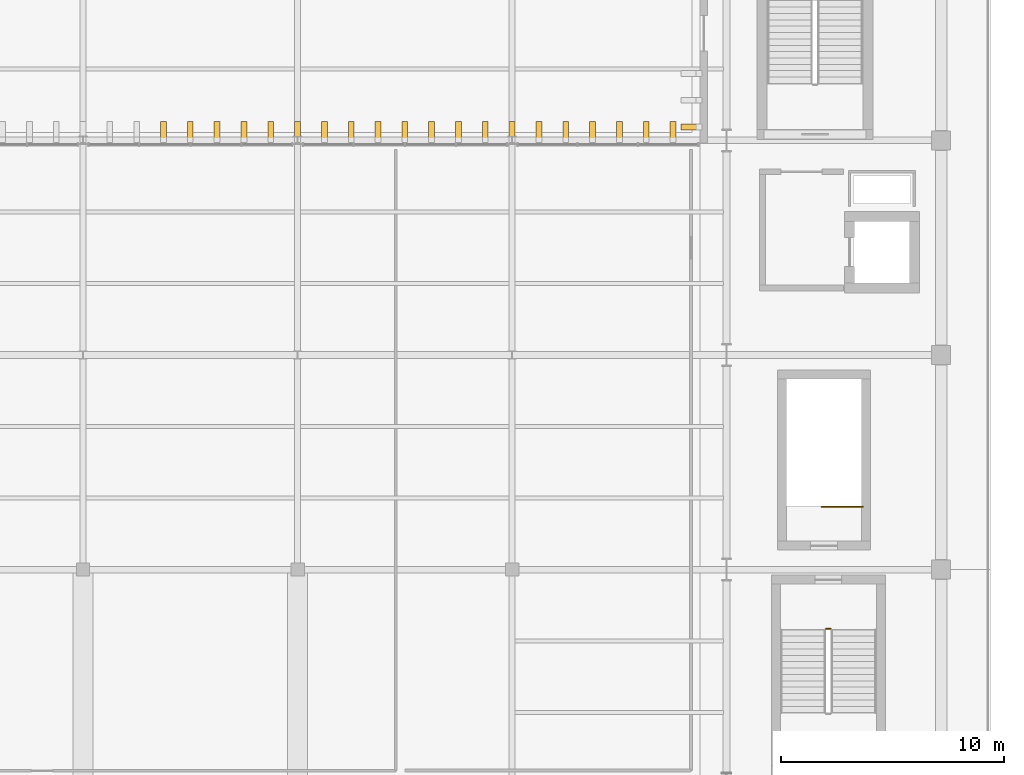
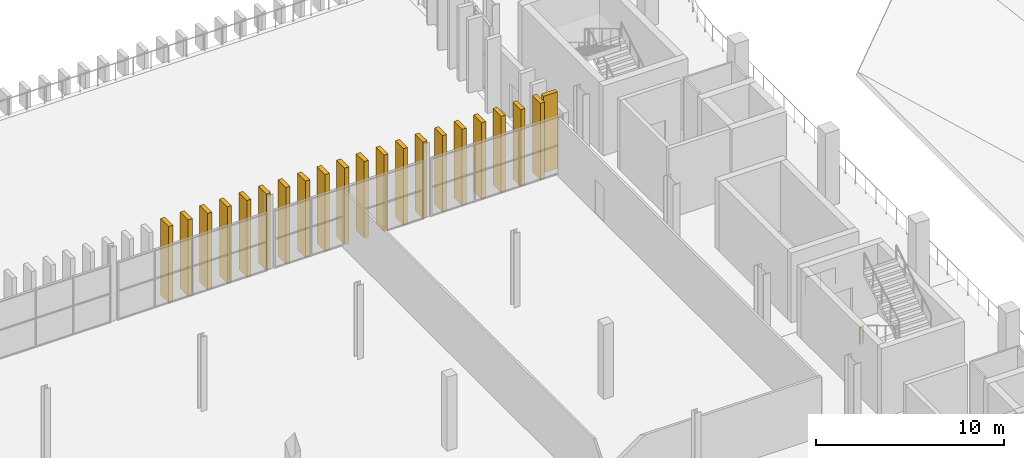
# One storey, part 84 of 99: 21 coverings, 2 railings.
"""IFC4 building model written with IfcOpenShell, lengths in metres."""

from ifc_helpers import new_model, si_unit, direction, frame, origin, origin_2d, place, context, subcontext, project, spatial, rectangle, circle, extrude, material, material_profile, profile_set, type_object, element, save


model = new_model("IFC4")

# Units and contexts
model_context = context("Model", 3, precision=1e-05, world=origin(), true_north=direction((0.0, 1.0)))
body_context = subcontext(model_context, "Body", "Model", "MODEL_VIEW")
ifc_project = project(units=[si_unit("LENGTHUNIT", "METRE"), si_unit("AREAUNIT", "SQUARE_METRE"), si_unit("VOLUMEUNIT", "CUBIC_METRE"), si_unit("PLANEANGLEUNIT", "RADIAN"), si_unit("MASSUNIT", "GRAM", prefix="KILO")], contexts=[model_context])

# Site, building, storey
site_placement = place(None, origin())
site = spatial("IfcSite", under=ifc_project, at=site_placement, CompositionType="ELEMENT")
building_placement = place(site_placement, origin())
building = spatial("IfcBuilding", under=site, at=building_placement, Name="Caelomonte Colonnade Arena", CompositionType="ELEMENT")
storey_placement = place(building_placement, frame((0.0, 0.0, 4.800048828125)))
storey = spatial("IfcBuildingStorey", under=building, at=storey_placement, Name="L01", CompositionType="ELEMENT", Elevation=4.800048828125)

# Coverings
ifc_material_1 = material(Name="Precast travertine cladding", Category="masonry")
ifc_material_profile = material_profile(ifc_material_1, rectangle(XDim=0.260009765625, YDim=0.85009765625, at=origin_2d()), Name="FIN260X850")
ifc_profile_set = profile_set([ifc_material_profile], Name="Precast travertine cladding")
covering_type = type_object("IfcCoveringType", Name="ENV-FN-SHAFT", PredefinedType="CLADDING", material=ifc_profile_set)
for number, where, z_axis, x_axis, name in (
    (1, (55.97900390625, 87.0, -0.16015625), (0.0, 0.0, 1.0), (0.0, 1.0, 0.0), "V1 L01 classical travertine vertical fin 176"),
    (2, (55.199951171875, 86.821044921875, -0.16015625), (0.0, 0.0, 1.0), (1.0, 0.0, 0.0), "V5 L01 classical travertine vertical fin 96"),
    (3, (54.0, 86.821044921875, -0.16015625), (0.0, 0.0, 1.0), (1.0, 0.0, 0.0), "V5 L01 classical travertine vertical fin 97"),
    (4, (52.800048828125, 86.821044921875, -0.16015625), (0.0, 0.0, 1.0), (1.0, 0.0, 0.0), "V5 L01 classical travertine vertical fin 98"),
    (5, (51.60009765625, 86.821044921875, -0.16015625), (0.0, 0.0, 1.0), (1.0, 0.0, 0.0), "V5 L01 classical travertine vertical fin 99"),
    (6, (50.39990234375, 86.821044921875, -0.16015625), (0.0, 0.0, 1.0), (1.0, 0.0, 0.0), "V5 L01 classical travertine vertical fin 100"),
    (7, (49.199951171875, 86.821044921875, -0.16015625), (0.0, 0.0, 1.0), (1.0, 0.0, 0.0), "V5 L01 classical travertine vertical fin 101"),
    (8, (48.0, 86.821044921875, -0.16015625), (0.0, 0.0, 1.0), (1.0, 0.0, 0.0), "V5 L01 classical travertine vertical fin 102"),
    (9, (46.800048828125, 86.821044921875, -0.16015625), (0.0, 0.0, 1.0), (1.0, 0.0, 0.0), "V5 L01 classical travertine vertical fin 103"),
    (10, (45.60009765625, 86.821044921875, -0.16015625), (0.0, 0.0, 1.0), (1.0, 0.0, 0.0), "V5 L01 classical travertine vertical fin 104"),
    (11, (44.39990234375, 86.821044921875, -0.16015625), (0.0, 0.0, 1.0), (1.0, 0.0, 0.0), "V5 L01 classical travertine vertical fin 105"),
    (12, (43.199951171875, 86.821044921875, -0.16015625), (0.0, 0.0, 1.0), (1.0, 0.0, 0.0), "V5 L01 classical travertine vertical fin 106"),
    (13, (42.0, 86.821044921875, -0.16015625), (0.0, 0.0, 1.0), (1.0, 0.0, 0.0), "V5 L01 classical travertine vertical fin 107"),
    (14, (40.800048828125, 86.821044921875, -0.16015625), (0.0, 0.0, 1.0), (1.0, 0.0, 0.0), "V5 L01 classical travertine vertical fin 108"),
    (15, (39.60009765625, 86.821044921875, -0.16015625), (0.0, 0.0, 1.0), (1.0, 0.0, 0.0), "V5 L01 classical travertine vertical fin 109"),
    (16, (38.39990234375, 86.821044921875, -0.16015625), (0.0, 0.0, 1.0), (1.0, 0.0, 0.0), "V5 L01 classical travertine vertical fin 110"),
    (17, (37.199951171875, 86.821044921875, -0.16015625), (0.0, 0.0, 1.0), (1.0, 0.0, 0.0), "V5 L01 classical travertine vertical fin 111"),
    (18, (36.0, 86.821044921875, -0.16015625), (0.0, 0.0, 1.0), (1.0, 0.0, 0.0), "V5 L01 classical travertine vertical fin 112"),
    (19, (34.800048828125, 86.821044921875, -0.16015625), (0.0, 0.0, 1.0), (1.0, 0.0, 0.0), "V5 L01 classical travertine vertical fin 113"),
    (20, (33.60009765625, 86.821044921875, -0.16015625), (0.0, 0.0, 1.0), (1.0, 0.0, 0.0), "V5 L01 classical travertine vertical fin 114"),
    (21, (32.39990234375, 86.821044921875, -0.16015625), (0.0, 0.0, 1.0), (1.0, 0.0, 0.0), "V5 L01 classical travertine vertical fin 115"),
):
    element("IfcCovering", number, at=place(storey_placement, frame(where, z_axis=z_axis, x_axis=x_axis)), inside=storey, type_object=covering_type, Name=name, PredefinedType="CLADDING", context=body_context, shape_type="SweptSolid", body=[
        extrude(rectangle(XDim=0.260009765625, YDim=0.85009765625, at=origin_2d()), origin(), (0.0, 0.0, 1.0), 4.960205078125),
    ])

# Railings
ifc_material_2 = material(Name="Painted galvanized steel stair guard", Category="steel")
railing_type = type_object("IfcRailingType", Name="INT-RL-GRD", PredefinedType="GUARDRAIL", material=ifc_material_2)
railing_1_placement = place(storey_placement, frame((62.050048828125, 64.550048828125, 0.0)))
element("IfcRailing", 22, at=railing_1_placement, inside=storey, type_object=railing_type, Name="L01 ST-09 stair guard 4", PredefinedType="GUARDRAIL", context=body_context, shape_type="SweptSolid", body=[
    extrude(circle(Radius=0.02392578125, at=origin_2d()), frame((0.0, 0.0, 1.076171875), z_axis=(1.0, 0.0, 0.0), x_axis=(0.0, 1.0, 0.0)), (0.0, 0.0, 1.0), 0.199951171875),
    extrude(circle(Radius=0.02099609375, at=origin_2d()), origin(), (0.0, 0.0, 1.0), 1.048095703125),
    extrude(circle(Radius=0.02099609375, at=origin_2d()), frame((0.199951171875, 0.0, 0.0)), (0.0, 0.0, 1.0), 1.048095703125),
])
railing_2_placement = place(storey_placement, frame((63.699951171875, 70.0, 0.0)))
element("IfcRailing", 23, at=railing_2_placement, inside=storey, type_object=railing_type, Name="L01 ST-V07 top well guard 1", PredefinedType="GUARDRAIL", context=body_context, shape_type="SweptSolid", body=[
    extrude(circle(Radius=0.02392578125, at=origin_2d()), frame((0.0, 0.0, 1.076171875), z_axis=(-1.0, 0.0, 0.0), x_axis=(0.0, -1.0, 0.0)), (0.0, 0.0, 1.0), 1.849853515625),
    extrude(circle(Radius=0.02099609375, at=origin_2d()), origin(), (0.0, 0.0, 1.0), 1.048095703125),
    extrude(circle(Radius=0.02099609375, at=origin_2d()), frame((-0.9248046875, 0.0, 0.0)), (0.0, 0.0, 1.0), 1.048095703125),
    extrude(circle(Radius=0.02099609375, at=origin_2d()), frame((-1.849853515625, 0.0, 0.0)), (0.0, 0.0, 1.0), 1.048095703125),
])

save(model, "model.ifc")
